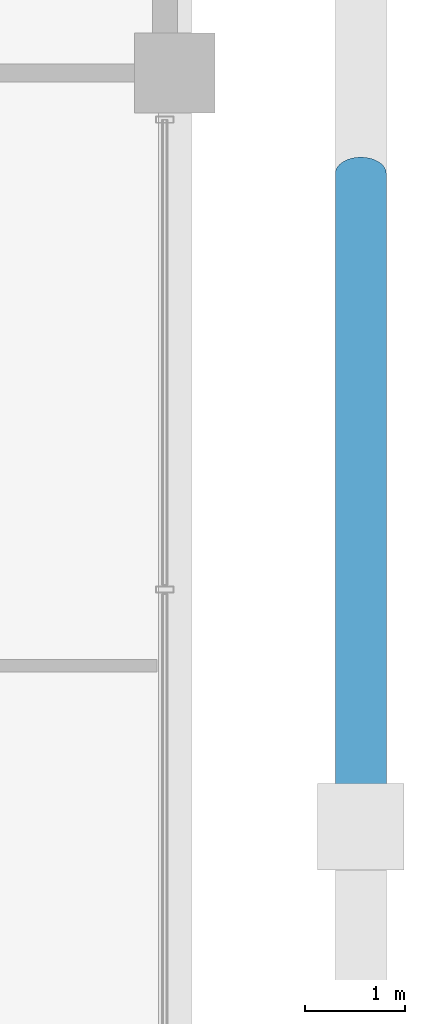
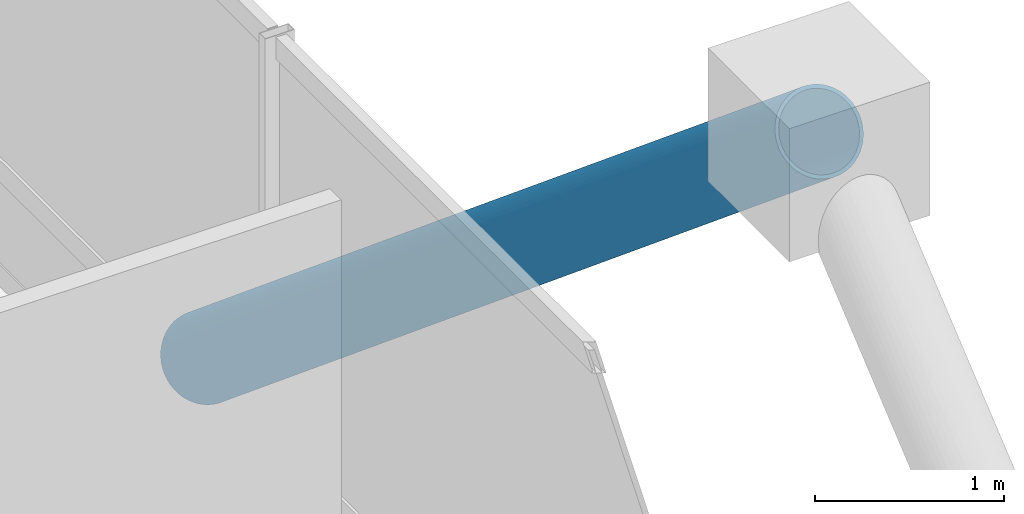
# One storey, part 10 of 22: 1 member.
"""IFC4 building model written with IfcOpenShell, lengths in metres."""

from ifc_helpers import new_model, si_unit, direction, frame, origin, origin_2d, place, context, subcontext, project, spatial, hollow_circle, extrude, material, material_profile, profile_set, type_object, element, save


model = new_model("IFC4")

# Units and contexts
model_context = context("Model", 3, precision=1e-05, world=origin(), true_north=direction((0.0, 1.0)))
body_context = subcontext(model_context, "Body", "Model", "MODEL_VIEW")
ifc_project = project(units=[si_unit("LENGTHUNIT", "METRE"), si_unit("AREAUNIT", "SQUARE_METRE"), si_unit("VOLUMEUNIT", "CUBIC_METRE"), si_unit("PLANEANGLEUNIT", "RADIAN"), si_unit("MASSUNIT", "GRAM", prefix="KILO")], contexts=[model_context])

# Site, building, storey
site_placement = place(None, origin())
site = spatial("IfcSite", under=ifc_project, at=site_placement, CompositionType="ELEMENT")
building_placement = place(site_placement, origin())
building = spatial("IfcBuilding", under=site, at=building_placement, Name="Barlavira Tower and Art Museum", CompositionType="ELEMENT")
storey_placement = place(building_placement, frame((0.0, 0.0, 106.199951171875)))
storey = spatial("IfcBuildingStorey", under=building, at=storey_placement, Name="L26", CompositionType="ELEMENT", Elevation=106.199951171875)

# Member
ifc_material = material(Name="Steel S355", Category="steel")
ifc_material_profile = material_profile(ifc_material, hollow_circle(Radius=0.25390625, WallThickness=0.022216796875, at=origin_2d()), Name="CHS 508.0x22.2")
ifc_profile_set = profile_set([ifc_material_profile], Name="Steel S355")
member_type = type_object("IfcMemberType", Name="Pale-Metal Exoskeleton Diagrid Tube CHS 508x22 Steel S355", PredefinedType="BRACE", material=ifc_profile_set)
member_placement = place(storey_placement, frame((22.10009765625, 6.5, -1.919921875), z_axis=(0.0, -0.769196053329, 0.639012857104), x_axis=(1.0, 0.0, 0.0)))
element("IfcMember", 1, at=member_placement, inside=storey, type_object=member_type, Name="L26 Exoskeleton Diagrid Tube E", PredefinedType="BRACE", context=body_context, shape_type="SweptSolid", body=[
    extrude(hollow_circle(Radius=0.25390625, WallThickness=0.022216796875, at=origin_2d()), origin(), (0.0, 0.0, 1.0), 8.450439453125),
])

save(model, "model.ifc")
